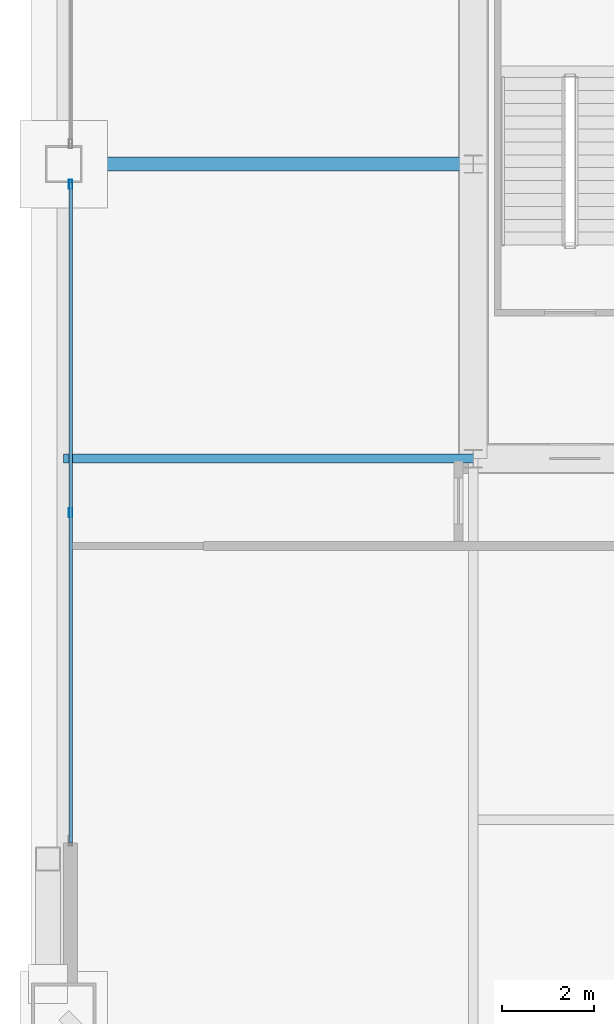
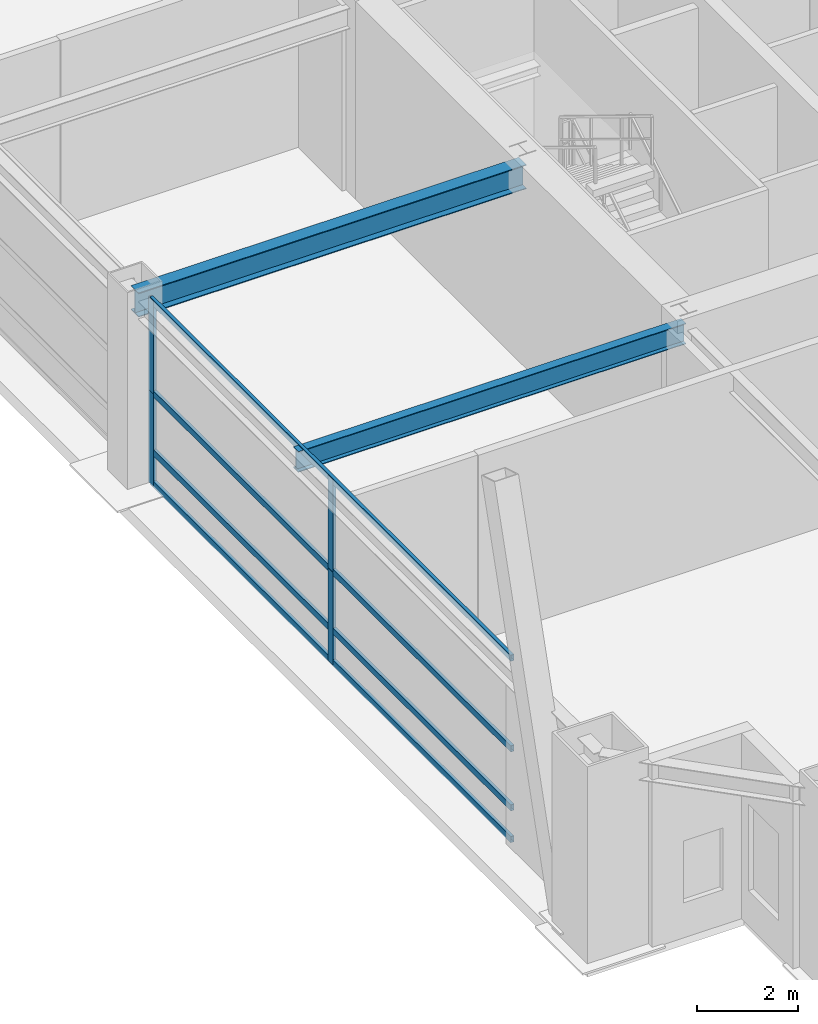
# One storey, part 10 of 34: 8 members, 2 beams, 1 element without a shape of its own.
"""IFC4 building model written with IfcOpenShell, lengths in metres."""

from ifc_helpers import new_model, si_unit, direction, frame, origin, origin_2d, place, context, subcontext, project, spatial, hollow_rectangle, i_section, extrude, source, transform, mapped, material, layer, layer_set, material_profile, profile_set, type_object, element, aggregate, save


model = new_model("IFC4")

# Units and contexts
model_context = context("Model", 3, precision=1e-05, world=origin(), true_north=direction((0.0, 1.0)))
body_context = subcontext(model_context, "Body", "Model", "MODEL_VIEW")
ifc_project = project(units=[si_unit("LENGTHUNIT", "METRE"), si_unit("AREAUNIT", "SQUARE_METRE"), si_unit("VOLUMEUNIT", "CUBIC_METRE"), si_unit("PLANEANGLEUNIT", "RADIAN"), si_unit("MASSUNIT", "GRAM", prefix="KILO"), si_unit("THERMODYNAMICTEMPERATUREUNIT", "KELVIN"), si_unit("POWERUNIT", "WATT")], contexts=[model_context])

# Site, building, storey
site_placement = place(None, origin())
site = spatial("IfcSite", under=ifc_project, at=site_placement, CompositionType="ELEMENT")
building_placement = place(site_placement, origin())
building = spatial("IfcBuilding", under=site, at=building_placement, Name="Yuzanri Waterfront Tower", CompositionType="ELEMENT")
storey_placement = place(building_placement, frame((0.0, 0.0, 166.800048828125)))
storey = spatial("IfcBuildingStorey", under=building, at=storey_placement, Name="L44", CompositionType="ELEMENT", Elevation=166.800048828125)

# Beams
ifc_material_1 = material(Name="Steel Q355B", Category="steel")
ifc_material_profile_1 = material_profile(ifc_material_1, i_section(OverallWidth=0.300048828125, OverallDepth=0.587890625, WebThickness=0.011962890625, FlangeThickness=0.02001953125, at=origin_2d()), Name="HM 588x300x12x20")
ifc_profile_set_1 = profile_set([ifc_material_profile_1], Name="Steel Q355B")
beam_type_1 = type_object("IfcBeamType", Name="Primary Floor Girder Q355B HM 588x300", PredefinedType="BEAM", material=ifc_profile_set_1)
shared_shape_1 = source(origin(), body_context, "Body", "SweptSolid", [
    extrude(i_section(OverallWidth=0.300048828125, OverallDepth=0.587890625, WebThickness=0.011962890625, FlangeThickness=0.02001953125, at=origin_2d()), origin(), (0.0, 0.0, 1.0), 8.900146484375),
])
beam_1_placement = place(storey_placement, frame((23.800048828125, 25.800048828125, 4.2060546875), z_axis=(-1.0, 0.0, 0.0), x_axis=(0.0, -1.0, 0.0)))
element("IfcBeam", 1, at=beam_1_placement, inside=storey, type_object=beam_type_1, Name="L44 West Grid Girder", PredefinedType="BEAM", context=body_context, shape_type="MappedRepresentation", body=[
    mapped(shared_shape_1, transform((0.0, 0.0, 0.0), scale=1.0)),
])
ifc_material_2 = material(Name="Steel Q355B", Category="steel")
ifc_material_profile_2 = material_profile(ifc_material_2, i_section(OverallWidth=0.199951171875, OverallDepth=0.5, WebThickness=0.010009765625, FlangeThickness=0.01611328125, at=origin_2d()), Name="HN 500x200x10x16")
ifc_profile_set_2 = profile_set([ifc_material_profile_2], Name="Steel Q355B")
beam_type_2 = type_object("IfcBeamType", Name="Secondary Floor Beam Q355B HN 500x200", PredefinedType="BEAM", material=ifc_profile_set_2)
shared_shape_2 = source(origin(), body_context, "Body", "SweptSolid", [
    extrude(i_section(OverallWidth=0.199951171875, OverallDepth=0.5, WebThickness=0.010009765625, FlangeThickness=0.01611328125, at=origin_2d()), origin(), (0.0, 0.0, 1.0), 8.900146484375),
])
beam_2_placement = place(storey_placement, frame((23.800048828125, 19.39990234375, 4.25), z_axis=(-1.0, 0.0, 0.0), x_axis=(0.0, -1.0, 0.0)))
element("IfcBeam", 2, at=beam_2_placement, inside=storey, type_object=beam_type_2, Name="L44 West-South Core Line Beam", PredefinedType="BEAM", context=body_context, shape_type="MappedRepresentation", body=[
    mapped(shared_shape_2, transform((0.0, 0.0, 0.0), scale=1.0)),
])

# Curtain wall, members
ifc_material_3 = material(Name="Anodized Architectural Bronze", Category="metal")
ifc_layer = layer(ifc_material_3, 0.159912109375)
ifc_layer_set = layer_set([ifc_layer], Name="Anodized Architectural Bronze")
curtain_wall_type = type_object("IfcCurtainWallType", Name="Anodized Bronze Sky-Lobby Triple-Glazed Feature Curtain Wall 7500", PredefinedType="NOTDEFINED", material=ifc_layer_set)
curtain_wall_placement = place(storey_placement, origin())
curtain_wall = element("IfcCurtainWall", 3, at=curtain_wall_placement, inside=storey, type_object=curtain_wall_type, Name="L44 Curtain Wall CW-L44-WL", PredefinedType="NOTDEFINED")
ifc_material_4 = material(Name="Anodized Architectural Bronze", Category="metal")
ifc_material_profile_3 = material_profile(ifc_material_4, hollow_rectangle(XDim=0.074951171875, YDim=0.199951171875, WallThickness=0.00390625, at=origin_2d()), Name="CWM 75x200")
ifc_profile_set_3 = profile_set([ifc_material_profile_3], Name="Anodized Architectural Bronze")
member_type_1 = type_object("IfcMemberType", Name="Anodized Bronze Primary Curtain-Wall Mullion 75x200", PredefinedType="MULLION", material=ifc_profile_set_3)
shared_shape_3 = source(origin(), body_context, "Body", "SweptSolid", [
    extrude(hollow_rectangle(XDim=0.074951171875, YDim=0.199951171875, WallThickness=0.00390625, at=origin_2d()), origin(), (0.0, 0.0, 1.0), 2.248046875),
])
member_1_placement = place(storey_placement, frame((15.050048828125, 18.22509765625, 0.0), z_axis=(0.0, 0.0, 1.0), x_axis=(1.0, 0.0, 0.0)))
member_1 = element("IfcMember", 4, at=member_1_placement, type_object=member_type_1, Name="CW-L44-WL Lower Mullion 01", PredefinedType="MULLION", context=body_context, shape_type="MappedRepresentation", body=[
    mapped(shared_shape_3, transform((0.0, 0.0, 0.0), scale=1.0)),
])
member_2_placement = place(storey_placement, frame((15.050048828125, 18.22509765625, 2.251953125), z_axis=(0.0, 0.0, 1.0), x_axis=(1.0, 0.0, 0.0)))
member_2 = element("IfcMember", 5, at=member_2_placement, type_object=member_type_1, Name="CW-L44-WL Upper Mullion 01", PredefinedType="MULLION", context=body_context, shape_type="MappedRepresentation", body=[
    mapped(shared_shape_3, transform((0.0, 0.0, 0.0), scale=1.0)),
])
member_3_placement = place(storey_placement, frame((15.050048828125, 25.360107421875, 0.0), z_axis=(0.0, 0.0, 1.0), x_axis=(1.0, 0.0, 0.0)))
member_3 = element("IfcMember", 6, at=member_3_placement, type_object=member_type_1, Name="CW-L44-WL Lower Mullion 02", PredefinedType="MULLION", context=body_context, shape_type="MappedRepresentation", body=[
    mapped(shared_shape_3, transform((0.0, 0.0, 0.0), scale=1.0)),
])
member_4_placement = place(storey_placement, frame((15.050048828125, 25.360107421875, 2.251953125), z_axis=(0.0, 0.0, 1.0), x_axis=(1.0, 0.0, 0.0)))
member_4 = element("IfcMember", 7, at=member_4_placement, type_object=member_type_1, Name="CW-L44-WL Upper Mullion 02", PredefinedType="MULLION", context=body_context, shape_type="MappedRepresentation", body=[
    mapped(shared_shape_3, transform((0.0, 0.0, 0.0), scale=1.0)),
])
ifc_material_5 = material(Name="Anodized Architectural Bronze", Category="metal")
ifc_material_profile_4 = material_profile(ifc_material_5, hollow_rectangle(XDim=0.074951171875, YDim=0.14990234375, WallThickness=0.00390625, at=origin_2d()), Name="CWT 75x150")
ifc_profile_set_4 = profile_set([ifc_material_profile_4], Name="Anodized Architectural Bronze")
member_type_2 = type_object("IfcMemberType", Name="Anodized Bronze Primary Curtain-Wall Transom 75x150", PredefinedType="USERDEFINED", material=ifc_profile_set_4)
shared_shape_4 = source(origin(), body_context, "Body", "SweptSolid", [
    extrude(hollow_rectangle(XDim=0.074951171875, YDim=0.14990234375, WallThickness=0.00390625, at=origin_2d()), origin(), (0.0, 0.0, 1.0), 14.349853515625),
])
member_5_placement = place(storey_placement, frame((15.050048828125, 11.050048828125, 0.050048828125), z_axis=(0.0, 1.0, 0.0), x_axis=(-1.0, 0.0, 0.0)))
member_5 = element("IfcMember", 8, at=member_5_placement, type_object=member_type_2, Name="CW-L44-WL Transom 1", ObjectType="TRANSOM", PredefinedType="USERDEFINED", context=body_context, shape_type="MappedRepresentation", body=[
    mapped(shared_shape_4, transform((0.0, 0.0, 0.0), scale=1.0)),
])
member_6_placement = place(storey_placement, frame((15.050048828125, 11.050048828125, 0.820068359375), z_axis=(0.0, 1.0, 0.0), x_axis=(-1.0, 0.0, 0.0)))
member_6 = element("IfcMember", 9, at=member_6_placement, type_object=member_type_2, Name="CW-L44-WL Transom 2", ObjectType="TRANSOM", PredefinedType="USERDEFINED", context=body_context, shape_type="MappedRepresentation", body=[
    mapped(shared_shape_4, transform((0.0, 0.0, 0.0), scale=1.0)),
])
member_7_placement = place(storey_placement, frame((15.050048828125, 11.050048828125, 2.25), z_axis=(0.0, 1.0, 0.0), x_axis=(-1.0, 0.0, 0.0)))
member_7 = element("IfcMember", 10, at=member_7_placement, type_object=member_type_2, Name="CW-L44-WL Transom 3", ObjectType="TRANSOM", PredefinedType="USERDEFINED", context=body_context, shape_type="MappedRepresentation", body=[
    mapped(shared_shape_4, transform((0.0, 0.0, 0.0), scale=1.0)),
])
member_8_placement = place(storey_placement, frame((15.050048828125, 11.050048828125, 4.449951171875), z_axis=(0.0, 1.0, 0.0), x_axis=(-1.0, 0.0, 0.0)))
member_8 = element("IfcMember", 11, at=member_8_placement, type_object=member_type_2, Name="CW-L44-WL Transom 4", ObjectType="TRANSOM", PredefinedType="USERDEFINED", context=body_context, shape_type="MappedRepresentation", body=[
    mapped(shared_shape_4, transform((0.0, 0.0, 0.0), scale=1.0)),
])
aggregate(curtain_wall, [member_1, member_2, member_3, member_4, member_5, member_6, member_7, member_8])

save(model, "model.ifc")
